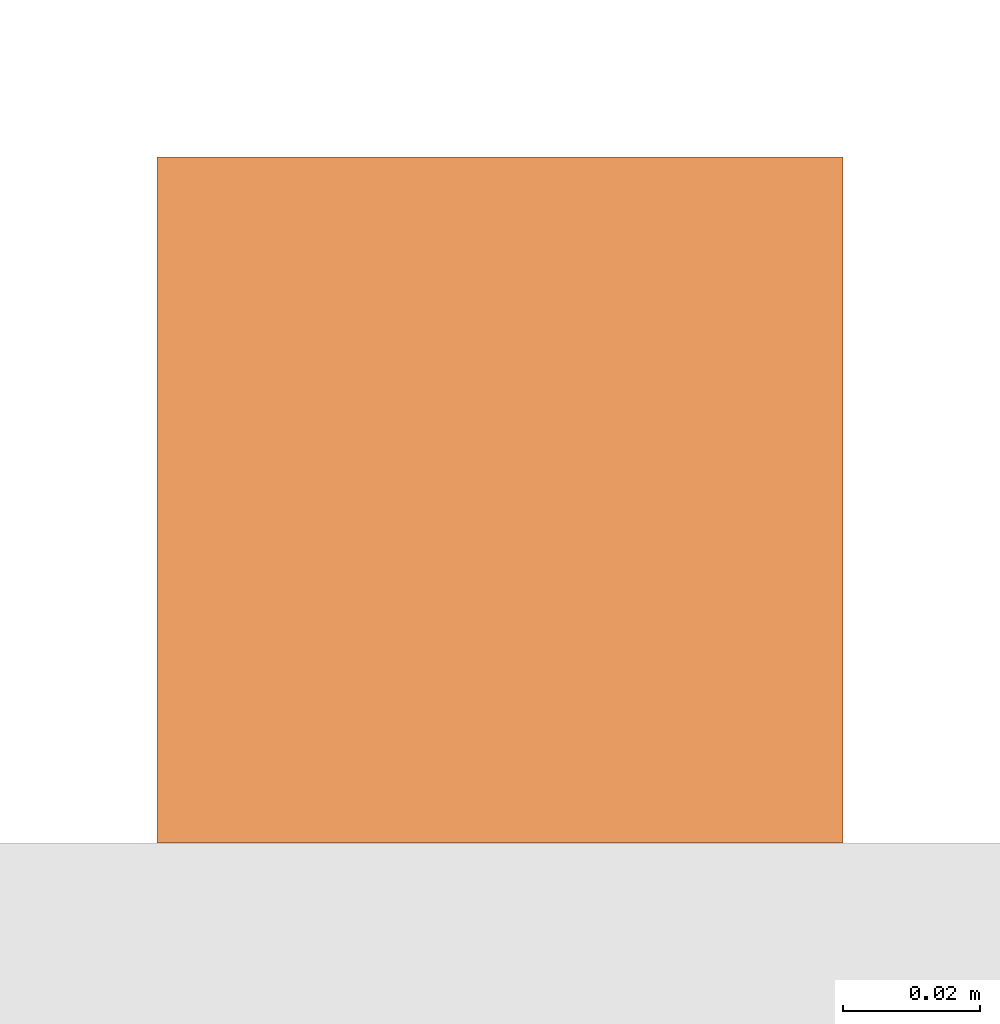
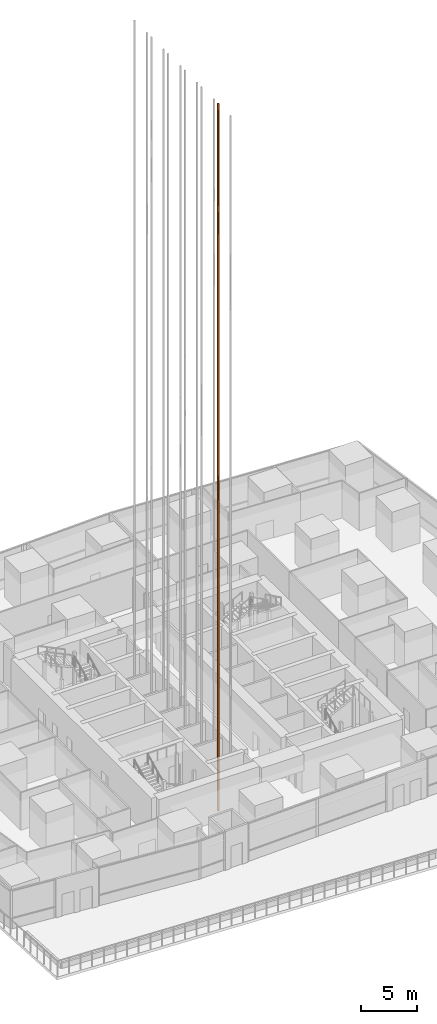
# One storey, part 34 of 44: 1 proxy.
"""IFC4 building model written with IfcOpenShell, lengths in metres."""

from ifc_helpers import new_model, si_unit, direction, frame, origin, origin_2d, place, context, subcontext, project, spatial, rectangle, extrude, material, type_object, element, save


model = new_model("IFC4")

# Units and contexts
model_context = context("Model", 3, precision=1e-05, world=origin(), true_north=direction((0.0, 1.0)))
body_context = subcontext(model_context, "Body", "Model", "MODEL_VIEW")
ifc_project = project(units=[si_unit("LENGTHUNIT", "METRE"), si_unit("AREAUNIT", "SQUARE_METRE"), si_unit("VOLUMEUNIT", "CUBIC_METRE"), si_unit("PLANEANGLEUNIT", "RADIAN"), si_unit("MASSUNIT", "GRAM", prefix="KILO")], contexts=[model_context])

# Site, building, storey
site_placement = place(None, origin())
site = spatial("IfcSite", under=ifc_project, at=site_placement, CompositionType="ELEMENT")
building_placement = place(site_placement, origin())
building = spatial("IfcBuilding", under=site, at=building_placement, Name="Rekha Terrace Tower", CompositionType="ELEMENT")
storey_placement = place(building_placement, frame((0.0, 0.0, 90.800048828125)))
storey = spatial("IfcBuildingStorey", under=building, at=storey_placement, Name="L22", CompositionType="ELEMENT", Elevation=90.800048828125)

# Proxy
ifc_material = material(Name="Steel guide rail", Category="steel")
building_element_proxy_type = type_object("IfcBuildingElementProxyType", Name="LR1 100 lift guide rail", PredefinedType="ELEMENT", material=ifc_material)
proxy_placement = place(storey_placement, frame((34.5, 26.0, -3.300048828125), z_axis=(0.0, 0.0, 1.0), x_axis=(1.0, 0.0, 0.0)))
element("IfcBuildingElementProxy", 1, at=proxy_placement, inside=storey, type_object=building_element_proxy_type, Name="Lift B1 guide rail 2", PredefinedType="ELEMENT", context=body_context, shape_type="SweptSolid", body=[
    extrude(rectangle(XDim=0.10009765625, YDim=0.10009765625, at=origin_2d()), origin(), (0.0, 0.0, 1.0), 77.39990234375),
])

save(model, "model.ifc")
